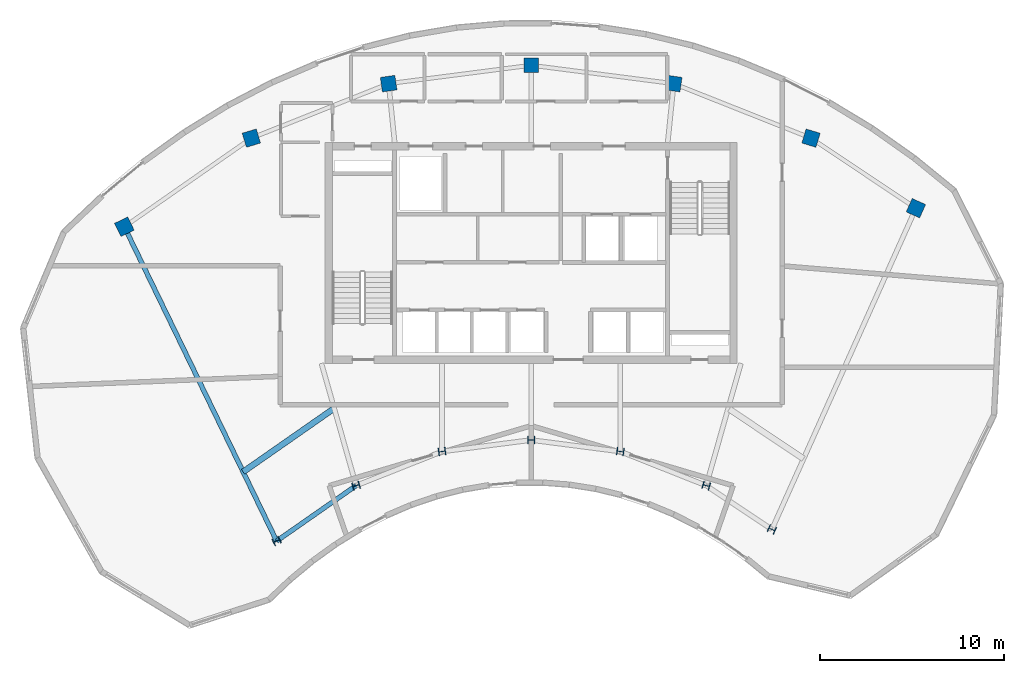
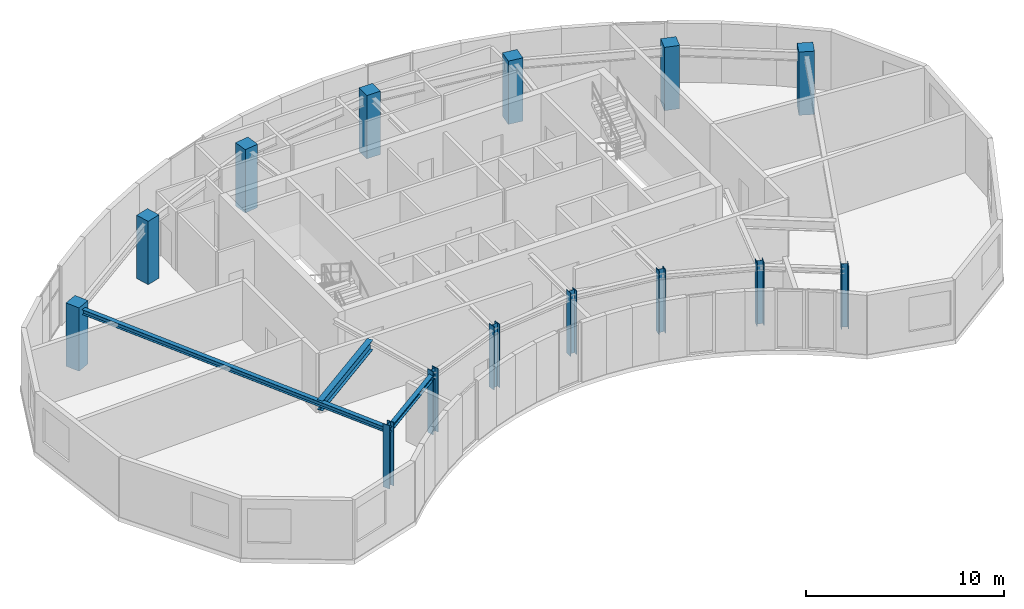
# One storey, part 1 of 9: 14 columns, 3 beams.
"""IFC4 building model written with IfcOpenShell, lengths in metres."""

from ifc_helpers import new_model, si_unit, direction, frame, origin, origin_2d, place, context, subcontext, project, spatial, rectangle, i_section, extrude, source, transform, mapped, material, material_profile, profile_set, type_object, element, save


model = new_model("IFC4")

# Units and contexts
model_context = context("Model", 3, precision=1e-05, world=origin(), true_north=direction((0.0, 1.0)))
body_context = subcontext(model_context, "Body", "Model", "MODEL_VIEW")
ifc_project = project(units=[si_unit("LENGTHUNIT", "METRE"), si_unit("AREAUNIT", "SQUARE_METRE"), si_unit("VOLUMEUNIT", "CUBIC_METRE"), si_unit("PLANEANGLEUNIT", "RADIAN"), si_unit("MASSUNIT", "GRAM", prefix="KILO")], contexts=[model_context])

# Site, building, storey
site_placement = place(None, origin())
site = spatial("IfcSite", under=ifc_project, at=site_placement, CompositionType="ELEMENT")
building_placement = place(site_placement, origin())
building = spatial("IfcBuilding", under=site, at=building_placement, Name="Breltana Convention Tower", CompositionType="ELEMENT")
storey_placement = place(building_placement, frame((0.0, 0.0, 295.199951171875)))
storey = spatial("IfcBuildingStorey", under=building, at=storey_placement, Name="L72", CompositionType="ELEMENT", Elevation=295.199951171875)

# Columns
ifc_material_1 = material(Name="Steel ASTM A992 Grade 50", Category="steel")
ifc_material_profile_1 = material_profile(ifc_material_1, i_section(OverallWidth=0.39892578125, OverallDepth=0.386962890625, WebThickness=0.02099609375, FlangeThickness=0.033203125, at=origin_2d()), Name="W14X176")
ifc_profile_set_1 = profile_set([ifc_material_profile_1], Name="Steel ASTM A992 Grade 50")
column_type_1 = type_object("IfcColumnType", Name="COL-STL-W14X176", PredefinedType="COLUMN", material=ifc_profile_set_1)
shared_shape_1 = source(origin(), body_context, "Body", "SweptSolid", [
    extrude(i_section(OverallWidth=0.39892578125, OverallDepth=0.386962890625, WebThickness=0.02099609375, FlangeThickness=0.033203125, at=origin_2d()), origin(), (0.0, 0.0, 1.0), 3.900146484375),
])
for number, where, z_axis, x_axis, name in (
    (1, (34.166259765625, 50.544921875, 0.0), (0.0, 0.0, 1.0), (-0.436173672171, 0.899862504889, 0.0), "L72 Tower Column R03-IN"),
    (2, (38.485107421875, 53.5576171875, 0.0), (0.0, 0.0, 1.0), (-0.288697611798, 0.957420330337, 0.0), "L72 Tower Column R04-IN"),
    (3, (43.153564453125, 55.41064453125, 0.0), (0.0, 0.0, 1.0), (-0.143492621991, 0.98965138682, 0.0), "L72 Tower Column R05-IN"),
    (4, (48.0, 56.035888671875, 0.0), (0.0, 0.0, 1.0), (0.0, 1.0, 0.0), "L72 Tower Column R06-IN"),
    (5, (52.846435546875, 55.41064453125, 0.0), (0.0, 0.0, 1.0), (0.143492621991, 0.98965138682, 0.0), "L72 Tower Column R07-IN"),
    (6, (57.514892578125, 53.5576171875, 0.0), (0.0, 0.0, 1.0), (0.288697611798, 0.957420330337, 0.0), "L72 Tower Column R08-IN"),
    (7, (61.08203125, 51.174560546875, 0.0), (0.0, 0.0, 1.0), (0.409126902895, 0.912477494148, 0.0), "L72 Tower Column R09-IN"),
):
    element("IfcColumn", number, at=place(storey_placement, frame(where, z_axis=z_axis, x_axis=x_axis)), inside=storey, type_object=column_type_1, Name=name, PredefinedType="COLUMN", context=body_context, shape_type="MappedRepresentation", body=[
        mapped(shared_shape_1, transform((0.0, 0.0, 0.0), scale=1.0)),
    ])
ifc_material_2 = material(Name="Concrete C50/60", Category="concrete")
ifc_material_profile_2 = material_profile(ifc_material_2, rectangle(XDim=0.800048828125, YDim=0.800048828125, at=origin_2d()), Name="RC-COL-800X800")
ifc_profile_set_2 = profile_set([ifc_material_profile_2], Name="Concrete C50/60")
column_type_2 = type_object("IfcColumnType", Name="COL-RC-800", PredefinedType="COLUMN", material=ifc_profile_set_2)
shared_shape_2 = source(origin(), body_context, "Body", "SweptSolid", [
    extrude(rectangle(XDim=0.800048828125, YDim=0.800048828125, at=origin_2d()), origin(), (0.0, 0.0, 1.0), 3.900146484375),
])
for number, where, z_axis, x_axis, name in (
    (8, (25.8876953125, 67.626953125, 0.0), (0.0, 0.0, 1.0), (-0.436173672171, 0.899862504889, 0.0), "L72 Tower Column R03-OUT"),
    (9, (32.791015625, 72.4423828125, 0.0), (0.0, 0.0, 1.0), (-0.288697611798, 0.957420330337, 0.0), "L72 Tower Column R04-OUT"),
    (10, (40.253173828125, 75.404296875, 0.0), (0.0, 0.0, 1.0), (-0.143492621991, 0.98965138682, 0.0), "L72 Tower Column R05-OUT"),
    (11, (48.0, 76.404052734375, 0.0), (0.0, 0.0, 1.0), (0.0, 1.0, 0.0), "L72 Tower Column R06-OUT"),
    (12, (55.746826171875, 75.404296875, 0.0), (0.0, 0.0, 1.0), (0.143492621991, 0.98965138682, 0.0), "L72 Tower Column R07-OUT"),
    (13, (63.208984375, 72.4423828125, 0.0), (0.0, 0.0, 1.0), (0.288697611798, 0.957420330337, 0.0), "L72 Tower Column R08-OUT"),
    (14, (68.910400390625, 68.63330078125, 0.0), (0.0, 0.0, 1.0), (0.409126902895, 0.912477494148, 0.0), "L72 Tower Column R09-OUT"),
):
    element("IfcColumn", number, at=place(storey_placement, frame(where, z_axis=z_axis, x_axis=x_axis)), inside=storey, type_object=column_type_2, Name=name, PredefinedType="COLUMN", context=body_context, shape_type="MappedRepresentation", body=[
        mapped(shared_shape_2, transform((0.0, 0.0, 0.0), scale=1.0)),
    ])

# Beams
ifc_material_profile_3 = material_profile(ifc_material_1, i_section(OverallWidth=0.323974609375, OverallDepth=0.611083984375, WebThickness=0.0126953125, FlangeThickness=0.01904296875, at=origin_2d()), Name="W24X104")
ifc_profile_set_3 = profile_set([ifc_material_profile_3], Name="Steel ASTM A992 Grade 50")
beam_type_1 = type_object("IfcBeamType", Name="BM-JSG-01", PredefinedType="JOIST", material=ifc_profile_set_3)
shared_shape_3 = source(origin(), body_context, "Body", "SweptSolid", [
    extrude(i_section(OverallWidth=0.323974609375, OverallDepth=0.611083984375, WebThickness=0.0126953125, FlangeThickness=0.01904296875, at=origin_2d()), origin(), (0.0, 0.0, 1.0), 5.959228515625),
])
beam_1_placement = place(storey_placement, frame((32.344970703125, 54.302978515625, 3.33447265625), z_axis=(0.820160485262, 0.572133531979, 0.0), x_axis=(-0.572133531979, 0.820160485262, 0.0)))
element("IfcBeam", 15, at=beam_1_placement, inside=storey, type_object=beam_type_1, Name="L72 Composite Floor Joist 03.1", PredefinedType="JOIST", context=body_context, shape_type="MappedRepresentation", body=[
    mapped(shared_shape_3, transform((0.0, 0.0, 0.0), scale=1.0)),
])
ifc_material_profile_4 = material_profile(ifc_material_1, i_section(OverallWidth=0.25390625, OverallDepth=0.305908203125, WebThickness=0.0087890625, FlangeThickness=0.0146484375, at=origin_2d()), Name="W12X53")
ifc_profile_set_4 = profile_set([ifc_material_profile_4], Name="Steel ASTM A992 Grade 50")
beam_type_2 = type_object("IfcBeamType", Name="BM-CN-W12X53", PredefinedType="BEAM", material=ifc_profile_set_4)
shared_shape_4 = source(origin(), body_context, "Body", "SweptSolid", [
    extrude(i_section(OverallWidth=0.25390625, OverallDepth=0.305908203125, WebThickness=0.0087890625, FlangeThickness=0.0146484375, at=origin_2d()), origin(), (0.0, 0.0, 1.0), 18.982421875),
])
beam_2_placement = place(storey_placement, frame((34.166259765625, 50.544921875, 3.487060546875), z_axis=(-0.436118560343, 0.89988921614, 0.0), x_axis=(-0.89988921614, -0.436118560343, 0.0)))
element("IfcBeam", 16, at=beam_2_placement, inside=storey, type_object=beam_type_2, Name="L72 Radial Floor Girder R03", PredefinedType="BEAM", context=body_context, shape_type="MappedRepresentation", body=[
    mapped(shared_shape_4, transform((0.0, 0.0, 0.0), scale=1.0)),
])
shared_shape_5 = source(origin(), body_context, "Body", "SweptSolid", [
    extrude(i_section(OverallWidth=0.25390625, OverallDepth=0.305908203125, WebThickness=0.0087890625, FlangeThickness=0.0146484375, at=origin_2d()), origin(), (0.0, 0.0, 1.0), 5.265869140625),
])
beam_3_placement = place(storey_placement, frame((34.166259765625, 50.544921875, 3.487060546875), z_axis=(0.820167429517, 0.572123577176, 0.0), x_axis=(-0.572123577176, 0.820167429517, 0.0)))
element("IfcBeam", 17, at=beam_3_placement, inside=storey, type_object=beam_type_2, Name="L72 Inner Ring Beam 03", PredefinedType="BEAM", context=body_context, shape_type="MappedRepresentation", body=[
    mapped(shared_shape_5, transform((0.0, 0.0, 0.0), scale=1.0)),
])

save(model, "model.ifc")
